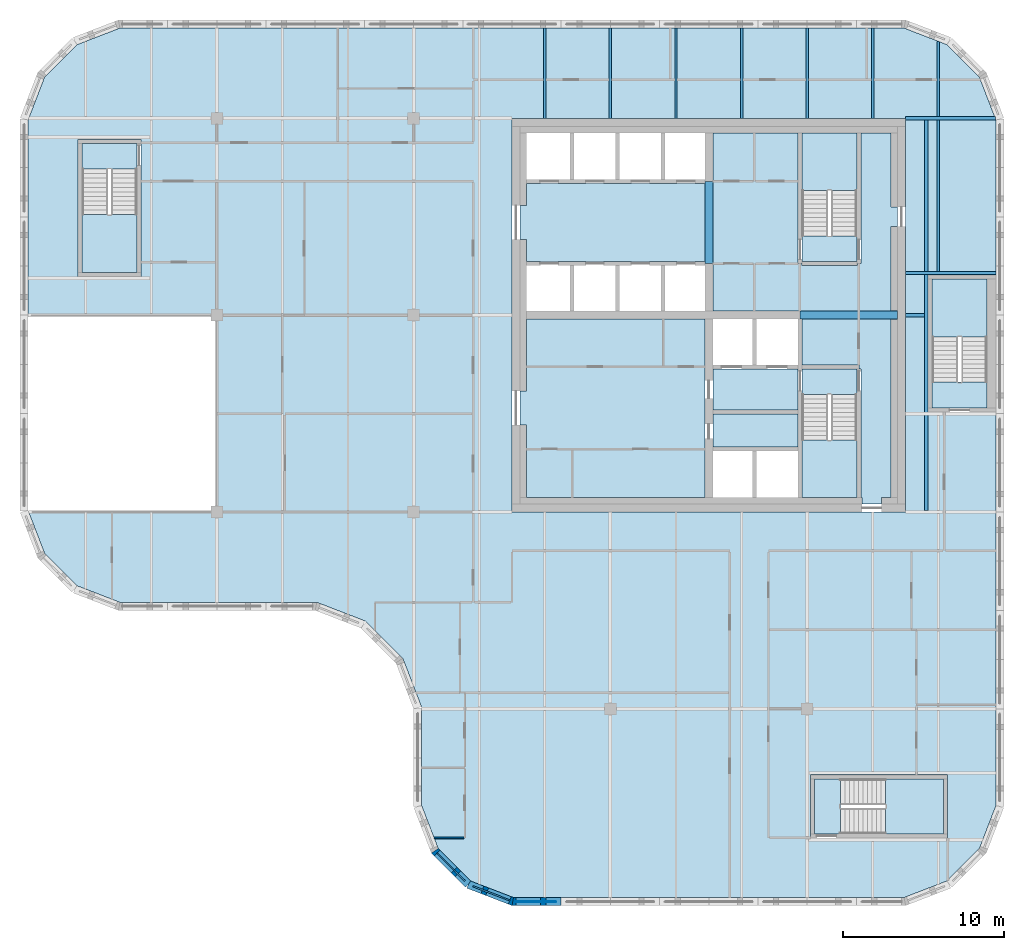
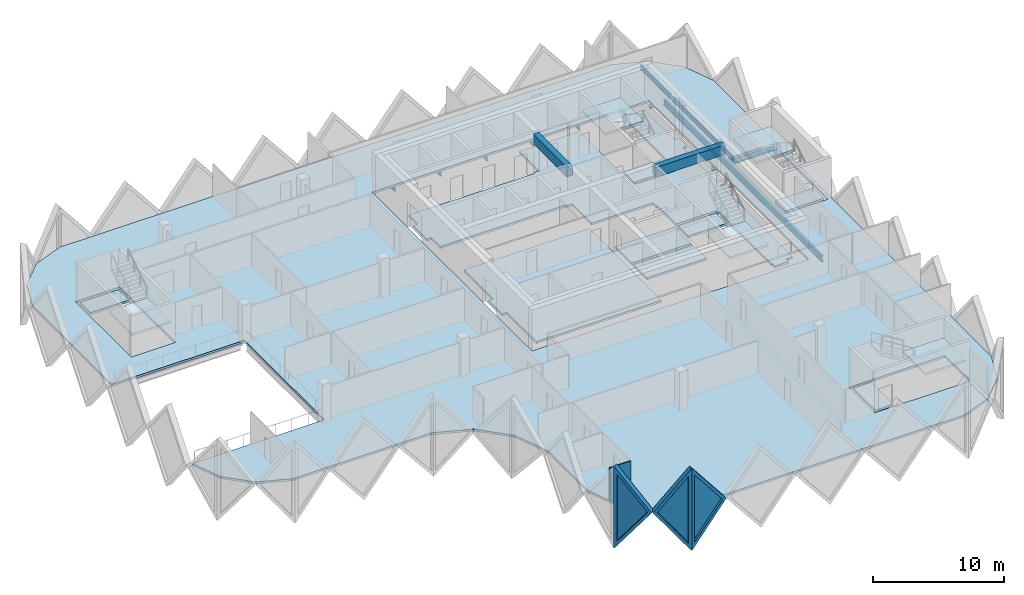
# One storey, part 2 of 12: 15 slabs, 14 beams, 4 walls, 3 plates, 3 openings, 5 elements without a shape of their own.
"""IFC4 building model written with IfcOpenShell, lengths in metres."""

from ifc_helpers import new_model, si_unit, direction, frame, frame_2d, origin, origin_2d, place, context, subcontext, project, spatial, polyline, rectangle, i_section, outline, extrude, faceted_brep, source, transform, mapped, material, layer, layer_set, material_profile, profile_set, type_object, element, fill, aggregate, save


model = new_model("IFC4")

# Units and contexts
model_context = context("Model", 3, precision=1e-05, world=origin(), true_north=direction((0.0, 1.0)))
body_context = subcontext(model_context, "Body", "Model", "MODEL_VIEW")
ifc_project = project(units=[si_unit("LENGTHUNIT", "METRE"), si_unit("AREAUNIT", "SQUARE_METRE"), si_unit("VOLUMEUNIT", "CUBIC_METRE"), si_unit("PLANEANGLEUNIT", "RADIAN"), si_unit("MASSUNIT", "GRAM", prefix="KILO")], contexts=[model_context])

# Site, building, storey
site_placement = place(None, origin())
site = spatial("IfcSite", under=ifc_project, at=site_placement, CompositionType="ELEMENT")
building_placement = place(site_placement, origin())
building = spatial("IfcBuilding", under=site, at=building_placement, Name="Tessera Gate Towers", CompositionType="ELEMENT")
storey_placement = place(building_placement, frame((0.0, 0.0, 213.10009765625)))
storey = spatial("IfcBuildingStorey", under=building, at=storey_placement, Name="L53", CompositionType="ELEMENT", Elevation=213.10009765625)

# Beams
ifc_material_1 = material(Name="Concrete C50/60", Category="concrete")
ifc_material_profile_1 = material_profile(ifc_material_1, rectangle(XDim=0.5, YDim=0.89990234375, at=origin_2d()), Name="RC 500x900")
ifc_profile_set_1 = profile_set([ifc_material_profile_1], Name="Concrete C50/60")
beam_type_1 = type_object("IfcBeamType", Name="COUPLING BEAM 500x900 C50/60", PredefinedType="BEAM", material=ifc_profile_set_1)
beam_1_placement = place(storey_placement, frame((48.35009765625, 36.60009765625, 3.14990234375), z_axis=(1.0, 0.0, 0.0), x_axis=(0.0, 1.0, 0.0)))
element("IfcBeam", 1, at=beam_1_placement, inside=storey, type_object=beam_type_1, Name="L53 coupling beam 1", PredefinedType="BEAM", context=body_context, shape_type="SweptSolid", body=[
    extrude(rectangle(XDim=0.5, YDim=0.89990234375, at=origin_2d()), origin(), (0.0, 0.0, 1.0), 6.0498046875),
])
beam_2_placement = place(storey_placement, frame((42.699951171875, 39.800048828125, 3.14990234375), z_axis=(0.0, 1.0, 0.0), x_axis=(-1.0, 0.0, 0.0)))
element("IfcBeam", 2, at=beam_2_placement, inside=storey, type_object=beam_type_1, Name="L53 coupling beam 2", PredefinedType="BEAM", context=body_context, shape_type="SweptSolid", body=[
    extrude(rectangle(XDim=0.5, YDim=0.89990234375, at=origin_2d()), origin(), (0.0, 0.0, 1.0), 5.099853515625),
])
ifc_material_2 = material(Name="Steel 350W", Category="steel")
ifc_material_profile_2 = material_profile(ifc_material_2, i_section(OverallWidth=0.208984375, OverallDepth=0.532958984375, WebThickness=0.01025390625, FlangeThickness=0.015625, at=origin_2d()), Name="W530x92")
ifc_profile_set_2 = profile_set([ifc_material_profile_2], Name="Steel 350W")
beam_type_2 = type_object("IfcBeamType", Name="FLOOR GIRDER W530x92", PredefinedType="BEAM", material=ifc_profile_set_2)
beam_3_placement = place(storey_placement, frame((54.89892578125, 36.60009765625, -0.466552734375), z_axis=(1.0, 0.0, 0.0), x_axis=(0.0, 1.0, 0.0)))
element("IfcBeam", 3, at=beam_3_placement, inside=storey, type_object=beam_type_2, Name="T1-GD-L53-5488", PredefinedType="BEAM", context=body_context, shape_type="SweptSolid", body=[
    extrude(i_section(OverallWidth=0.208984375, OverallDepth=0.532958984375, WebThickness=0.01025390625, FlangeThickness=0.015625, at=origin_2d()), origin(), (0.0, 0.0, 1.0), 1.176513671875),
])
beam_4_placement = place(storey_placement, frame((54.90087890625, 48.800048828125, -0.466552734375), z_axis=(1.0, 0.0, 0.0), x_axis=(0.0, 1.0, 0.0)))
element("IfcBeam", 4, at=beam_4_placement, inside=storey, type_object=beam_type_2, Name="T1-GD-L53-5492", PredefinedType="BEAM", context=body_context, shape_type="SweptSolid", body=[
    extrude(i_section(OverallWidth=0.208984375, OverallDepth=0.532958984375, WebThickness=0.01025390625, FlangeThickness=0.015625, at=origin_2d()), origin(), (0.0, 0.0, 1.0), 5.564208984375),
])
beam_5_placement = place(storey_placement, frame((54.89892578125, 39.219970703125, -0.466552734375), z_axis=(1.0, 0.0, 0.0), x_axis=(0.0, 1.0, 0.0)))
element("IfcBeam", 5, at=beam_5_placement, inside=storey, type_object=beam_type_2, Name="T1-GD-L53-5510", PredefinedType="BEAM", context=body_context, shape_type="SweptSolid", body=[
    extrude(i_section(OverallWidth=0.208984375, OverallDepth=0.532958984375, WebThickness=0.01025390625, FlangeThickness=0.015625, at=origin_2d()), origin(), (0.0, 0.0, 1.0), 5.60205078125),
])
beam_6_placement = place(storey_placement, frame((56.179931640625, 24.50439453125, -0.466552734375), z_axis=(0.0, 1.0, 0.0), x_axis=(-1.0, 0.0, 0.0)))
element("IfcBeam", 6, at=beam_6_placement, inside=storey, type_object=beam_type_2, Name="T1-GD-L53-5511", PredefinedType="BEAM", context=body_context, shape_type="SweptSolid", body=[
    extrude(i_section(OverallWidth=0.208984375, OverallDepth=0.532958984375, WebThickness=0.01025390625, FlangeThickness=0.015625, at=origin_2d()), origin(), (0.0, 0.0, 1.0), 24.191162109375),
])
ifc_material_3 = material(Name="Steel 350W", Category="steel")
ifc_material_profile_3 = material_profile(ifc_material_3, i_section(OverallWidth=0.153076171875, OverallDepth=0.455078125, WebThickness=0.008056640625, FlangeThickness=0.01318359375, at=origin_2d()), Name="W460x60")
ifc_profile_set_3 = profile_set([ifc_material_profile_3], Name="Steel 350W")
beam_type_3 = type_object("IfcBeamType", Name="FLOOR SECONDARY W460x60", PredefinedType="BEAM", material=ifc_profile_set_3)
for number, where, z_axis, x_axis, name in (
    (7, (32.533203125, 48.800048828125, -0.427490234375), (0.0, 1.0, 0.0), (-1.0, 0.0, 0.0), "T1-BM-L53-5533"),
    (8, (36.60009765625, 48.800048828125, -0.427490234375), (0.0, 1.0, 0.0), (-1.0, 0.0, 0.0), "T1-BM-L53-5534"),
    (9, (40.666748046875, 48.800048828125, -0.427490234375), (0.0, 1.0, 0.0), (-1.0, 0.0, 0.0), "T1-BM-L53-5537"),
    (10, (44.7333984375, 48.800048828125, -0.427490234375), (0.0, 1.0, 0.0), (-1.0, 0.0, 0.0), "T1-BM-L53-5540"),
    (11, (48.800048828125, 48.800048828125, -0.427490234375), (0.0, 1.0, 0.0), (-1.0, 0.0, 0.0), "T1-BM-L53-5541"),
    (12, (52.86669921875, 48.800048828125, -0.427490234375), (0.0, 1.0, 0.0), (-1.0, 0.0, 0.0), "T1-BM-L53-5545"),
):
    element("IfcBeam", number, at=place(storey_placement, frame(where, z_axis=z_axis, x_axis=x_axis)), inside=storey, type_object=beam_type_3, Name=name, PredefinedType="BEAM", context=body_context, shape_type="SweptSolid", body=[
        extrude(i_section(OverallWidth=0.153076171875, OverallDepth=0.455078125, WebThickness=0.008056640625, FlangeThickness=0.01318359375, at=origin_2d()), origin(), (0.0, 0.0, 1.0), 5.599853515625),
    ])
beam_7_placement = place(storey_placement, frame((56.933349609375, 39.324462890625, -0.427490234375), z_axis=(0.0, 1.0, 0.0), x_axis=(-1.0, 0.0, 0.0)))
element("IfcBeam", 13, at=beam_7_placement, inside=storey, type_object=beam_type_3, Name="T1-BM-L53-5550", PredefinedType="BEAM", context=body_context, shape_type="SweptSolid", body=[
    extrude(i_section(OverallWidth=0.153076171875, OverallDepth=0.455078125, WebThickness=0.008056640625, FlangeThickness=0.01318359375, at=origin_2d()), origin(), (0.0, 0.0, 1.0), 9.37109375),
])
beam_8_placement = place(storey_placement, frame((56.933349609375, 48.904541015625, -0.427490234375), z_axis=(0.0, 1.0, 0.0), x_axis=(-1.0, 0.0, 0.0)))
element("IfcBeam", 14, at=beam_8_placement, inside=storey, type_object=beam_type_3, Name="T1-BM-L53-5551", PredefinedType="BEAM", context=body_context, shape_type="SweptSolid", body=[
    extrude(i_section(OverallWidth=0.153076171875, OverallDepth=0.455078125, WebThickness=0.008056640625, FlangeThickness=0.01318359375, at=origin_2d()), origin(), (0.0, 0.0, 1.0), 4.675048828125),
])

# Slabs
ifc_material_4 = material(Name="Concrete C35/45", Category="concrete")
ifc_layer_1 = layer(ifc_material_4, 0.199951171875)
ifc_layer_set_1 = layer_set([ifc_layer_1], Name="COMPOSITE FLOOR 200")
slab_type_1 = type_object("IfcSlabType", Name="COMPOSITE FLOOR 200", PredefinedType="FLOOR", material=ifc_layer_set_1)
slab_1_placement = place(storey_placement, frame((0.0, 0.0, -0.2001953125)))
element("IfcSlab", 15, at=slab_1_placement, inside=storey, type_object=slab_type_1, Name="T1-L53", PredefinedType="FLOOR", context=body_context, shape_type="SweptSolid", body=[
    extrude(outline(polyline([(0.5, 36.60009765625), (12.199951171875, 36.60009765625), (12.199951171875, 24.39990234375), (0.535888671875, 24.39990234375), (1.526123046875, 21.8330078125), (3.533203125, 19.826171875), (6.193115234375, 18.800048828125), (18.39306640625, 18.800048828125), (21.42431640625, 17.630615234375), (23.730712890625, 15.32421875), (24.89990234375, 12.293212890625), (24.89990234375, 6.193115234375), (25.926025390625, 3.533203125), (27.93310546875, 1.526123046875), (30.593017578125, 0.5), (54.806884765625, 0.5), (57.466796875, 1.526123046875), (59.473876953125, 3.533203125), (60.5, 6.193115234375), (60.5, 48.706787109375), (59.473876953125, 51.366943359375), (57.466796875, 53.373779296875), (54.806884765625, 54.39990234375), (6.193115234375, 54.39990234375), (3.533203125, 53.373779296875), (1.526123046875, 51.366943359375), (0.5, 48.706787109375), (0.5, 36.60009765625)]), holes=[polyline([(3.60009765625, 39.0), (3.60009765625, 47.5), (7.5, 47.5), (7.5, 39.0), (3.60009765625, 39.0)]), polyline([(30.5, 24.39990234375), (30.5, 48.800048828125), (54.89990234375, 48.800048828125), (54.89990234375, 24.39990234375), (30.5, 24.39990234375)]), polyline([(49.0, 4.199951171875), (49.0, 8.10009765625), (57.5, 8.10009765625), (57.5, 4.199951171875), (49.0, 4.199951171875)]), polyline([(56.300048828125, 30.60009765625), (56.300048828125, 39.10009765625), (60.199951171875, 39.10009765625), (60.199951171875, 30.60009765625), (56.300048828125, 30.60009765625)])]), origin(), (0.0, 0.0, 1.0), 0.2001953125),
])
ifc_material_5 = material(Name="Concrete C35/45", Category="concrete")
ifc_layer_2 = layer(ifc_material_5, 0.199951171875)
ifc_layer_set_2 = layer_set([ifc_layer_2], Name="CORE FLOOR SLAB 200")
slab_type_2 = type_object("IfcSlabType", Name="CORE FLOOR SLAB 200", PredefinedType="FLOOR", material=ifc_layer_set_2)
slab_2_placement = place(storey_placement, frame((0.0, 0.0, -0.2001953125)))
element("IfcSlab", 16, at=slab_2_placement, inside=storey, type_object=slab_type_2, Name="L53 core floor slab", PredefinedType="FLOOR", context=body_context, shape_type="SweptSolid", body=[
    extrude(outline(polyline([(42.449951171875, 44.89990234375), (42.449951171875, 44.77490234375), (31.39990234375, 44.77490234375), (31.39990234375, 43.39990234375), (31.0, 43.39990234375), (31.0, 41.300048828125), (31.39990234375, 41.300048828125), (31.39990234375, 39.925048828125), (42.449951171875, 39.925048828125), (42.449951171875, 39.800048828125), (42.949951171875, 39.800048828125), (42.949951171875, 36.85009765625), (48.35009765625, 36.85009765625), (48.35009765625, 36.35009765625), (48.47509765625, 36.35009765625), (48.47509765625, 33.52490234375), (52.0, 33.52490234375), (52.0, 33.27490234375), (52.125, 33.27490234375), (52.125, 25.300048828125), (52.199951171875, 25.300048828125), (52.199951171875, 24.89990234375), (53.39990234375, 24.89990234375), (53.39990234375, 25.300048828125), (54.0, 25.300048828125), (54.0, 36.320068359375), (54.39990234375, 36.320068359375), (54.39990234375, 36.8798828125), (54.0, 36.8798828125), (54.0, 42.10009765625), (54.39990234375, 42.10009765625), (54.39990234375, 43.300048828125), (54.0, 43.300048828125), (54.0, 47.89990234375), (52.125, 47.89990234375), (52.125, 39.800048828125), (51.875, 39.800048828125), (51.875, 39.675048828125), (48.47509765625, 39.675048828125), (48.47509765625, 39.800048828125), (48.22509765625, 39.800048828125), (48.22509765625, 47.89990234375), (42.949951171875, 47.89990234375), (42.949951171875, 44.89990234375), (42.449951171875, 44.89990234375)])), origin(), (0.0, 0.0, 1.0), 0.2001953125),
])
slab_3_placement = place(storey_placement, frame((0.0, 0.0, -0.2001953125)))
element("IfcSlab", 17, at=slab_3_placement, inside=storey, type_object=slab_type_2, Name="L53 core floor slab", PredefinedType="FLOOR", context=body_context, shape_type="SweptSolid", body=[
    extrude(outline(polyline([(31.39990234375, 36.35009765625), (31.39990234375, 31.89990234375), (31.0, 31.89990234375), (31.0, 29.800048828125), (31.39990234375, 29.800048828125), (31.39990234375, 25.300048828125), (42.449951171875, 25.300048828125), (42.449951171875, 36.35009765625), (31.39990234375, 36.35009765625)])), origin(), (0.0, 0.0, 1.0), 0.2001953125),
])
slab_4_placement = place(storey_placement, frame((0.0, 0.0, -0.2001953125)))
element("IfcSlab", 18, at=slab_4_placement, inside=storey, type_object=slab_type_2, Name="L53 core floor slab", PredefinedType="FLOOR", context=body_context, shape_type="SweptSolid", body=[
    extrude(outline(polyline([(42.949951171875, 33.27490234375), (42.949951171875, 30.72509765625), (48.22509765625, 30.72509765625), (48.22509765625, 33.27490234375), (42.949951171875, 33.27490234375)])), origin(), (0.0, 0.0, 1.0), 0.2001953125),
])
slab_5_placement = place(storey_placement, frame((0.0, 0.0, -0.2001953125)))
element("IfcSlab", 19, at=slab_5_placement, inside=storey, type_object=slab_type_2, Name="L53 core floor slab", PredefinedType="FLOOR", context=body_context, shape_type="SweptSolid", body=[
    extrude(outline(polyline([(48.22509765625, 30.47509765625), (42.949951171875, 30.47509765625), (42.949951171875, 28.425048828125), (48.22509765625, 28.425048828125), (48.22509765625, 30.47509765625)])), origin(), (0.0, 0.0, 1.0), 0.2001953125),
])
slab_6_placement = place(storey_placement, frame((0.0, 0.0, -0.2001953125)))
element("IfcSlab", 20, at=slab_6_placement, inside=storey, type_object=slab_type_2, Name="L53 core floor slab", PredefinedType="FLOOR", context=body_context, shape_type="SweptSolid", body=[
    extrude(outline(polyline([(51.875, 31.675048828125), (51.875, 33.27490234375), (48.47509765625, 33.27490234375), (48.47509765625, 31.675048828125), (51.875, 31.675048828125)])), origin(), (0.0, 0.0, 1.0), 0.2001953125),
])
slab_7_placement = place(storey_placement, frame((0.0, 0.0, -0.2001953125)))
element("IfcSlab", 21, at=slab_7_placement, inside=storey, type_object=slab_type_2, Name="L53 core floor slab", PredefinedType="FLOOR", context=body_context, shape_type="SweptSolid", body=[
    extrude(outline(polyline([(48.47509765625, 41.52490234375), (48.47509765625, 39.925048828125), (51.875, 39.925048828125), (51.875, 41.52490234375), (48.47509765625, 41.52490234375)])), origin(), (0.0, 0.0, 1.0), 0.2001953125),
])
slab_8_placement = place(storey_placement, frame((0.0, 0.0, -0.2001953125)))
element("IfcSlab", 22, at=slab_8_placement, inside=storey, type_object=slab_type_2, Name="L53 ST3 floor landing", PredefinedType="FLOOR", context=body_context, shape_type="SweptSolid", body=[
    extrude(outline(polyline([(3.85009765625, 47.25), (3.85009765625, 45.64990234375), (7.25, 45.64990234375), (7.25, 47.25), (3.85009765625, 47.25)])), origin(), (0.0, 0.0, 1.0), 0.2001953125),
])
slab_9_placement = place(storey_placement, frame((0.0, 0.0, -0.2001953125)))
element("IfcSlab", 23, at=slab_9_placement, inside=storey, type_object=slab_type_2, Name="L53 ST4 floor landing", PredefinedType="FLOOR", context=body_context, shape_type="SweptSolid", body=[
    extrude(outline(polyline([(49.25, 4.449951171875), (50.85009765625, 4.449951171875), (50.85009765625, 7.85009765625), (49.25, 7.85009765625), (49.25, 4.449951171875)])), origin(), (0.0, 0.0, 1.0), 0.2001953125),
])
slab_10_placement = place(storey_placement, frame((0.0, 0.0, -0.2001953125)))
element("IfcSlab", 24, at=slab_10_placement, inside=storey, type_object=slab_type_2, Name="L53 ST5 floor landing", PredefinedType="FLOOR", context=body_context, shape_type="SweptSolid", body=[
    extrude(outline(polyline([(59.949951171875, 30.85009765625), (59.949951171875, 32.449951171875), (56.550048828125, 32.449951171875), (56.550048828125, 30.85009765625), (59.949951171875, 30.85009765625)])), origin(), (0.0, 0.0, 1.0), 0.2001953125),
])

# Stair, slab
ifc_material_6 = material(Name="Concrete C40/50", Category="concrete")
stair_type_1 = type_object("IfcStairType", Name="EXIT STAIR ST1 1600", PredefinedType="HALF_TURN_STAIR", material=ifc_material_6)
stair_1_placement = place(storey_placement, origin())
stair_1 = element("IfcStair", 25, at=stair_1_placement, inside=storey, type_object=stair_type_1, Name="L53 Protected Exit Stair ST1", PredefinedType="HALF_TURN_STAIR")
ifc_material_7 = material(Name="Concrete C40/50", Category="concrete")
ifc_layer_3 = layer(ifc_material_7, 0.199951171875)
ifc_layer_set_3 = layer_set([ifc_layer_3], Name="EXIT STAIR LANDING 200")
slab_type_3 = type_object("IfcSlabType", Name="EXIT STAIR LANDING 200", PredefinedType="LANDING", material=ifc_layer_set_3)
slab_11_placement = place(storey_placement, frame((0.0, 0.0, 1.699951171875)))
slab_11 = element("IfcSlab", 26, at=slab_11_placement, type_object=slab_type_3, Name="ST1 landing 1", PredefinedType="LANDING", context=body_context, shape_type="SweptSolid", body=[
    extrude(outline(polyline([(48.47509765625, 28.875), (48.47509765625, 25.300048828125), (51.875, 25.300048828125), (51.875, 28.875), (48.47509765625, 28.875)])), origin(), (0.0, 0.0, 1.0), 0.199951171875),
])
aggregate(stair_1, [slab_11])

ifc_material_8 = material(Name="Concrete C40/50", Category="concrete")
stair_type_2 = type_object("IfcStairType", Name="EXIT STAIR ST2 1600", PredefinedType="HALF_TURN_STAIR", material=ifc_material_8)
stair_2_placement = place(storey_placement, origin())
stair_2 = element("IfcStair", 27, at=stair_2_placement, inside=storey, type_object=stair_type_2, Name="L53 Protected Exit Stair ST2", PredefinedType="HALF_TURN_STAIR")
slab_12_placement = place(storey_placement, frame((0.0, 0.0, 1.699951171875)))
slab_12 = element("IfcSlab", 28, at=slab_12_placement, type_object=slab_type_3, Name="ST2 landing 1", PredefinedType="LANDING", context=body_context, shape_type="SweptSolid", body=[
    extrude(outline(polyline([(51.875, 44.324951171875), (51.875, 47.89990234375), (48.47509765625, 47.89990234375), (48.47509765625, 44.324951171875), (51.875, 44.324951171875)])), origin(), (0.0, 0.0, 1.0), 0.199951171875),
])
aggregate(stair_2, [slab_12])

ifc_material_9 = material(Name="Concrete C40/50", Category="concrete")
stair_type_3 = type_object("IfcStairType", Name="EXIT STAIR ST3 1600", PredefinedType="HALF_TURN_STAIR", material=ifc_material_9)
stair_3_placement = place(storey_placement, origin())
stair_3 = element("IfcStair", 29, at=stair_3_placement, inside=storey, type_object=stair_type_3, Name="L53 West Exit Stair ST3", PredefinedType="HALF_TURN_STAIR")
slab_13_placement = place(storey_placement, frame((0.0, 0.0, 1.699951171875)))
slab_13 = element("IfcSlab", 30, at=slab_13_placement, type_object=slab_type_3, Name="ST3 landing 1", PredefinedType="LANDING", context=body_context, shape_type="SweptSolid", body=[
    extrude(outline(polyline([(3.85009765625, 42.85009765625), (3.85009765625, 39.25), (7.25, 39.25), (7.25, 42.85009765625), (3.85009765625, 42.85009765625)])), origin(), (0.0, 0.0, 1.0), 0.199951171875),
])
aggregate(stair_3, [slab_13])

ifc_material_10 = material(Name="Concrete C40/50", Category="concrete")
stair_type_4 = type_object("IfcStairType", Name="EXIT STAIR ST4 1600", PredefinedType="HALF_TURN_STAIR", material=ifc_material_10)
stair_4_placement = place(storey_placement, origin())
stair_4 = element("IfcStair", 31, at=stair_4_placement, inside=storey, type_object=stair_type_4, Name="L53 South Exit Stair ST4", PredefinedType="HALF_TURN_STAIR")
slab_14_placement = place(storey_placement, frame((0.0, 0.0, 1.699951171875)))
slab_14 = element("IfcSlab", 32, at=slab_14_placement, type_object=slab_type_3, Name="ST4 landing 1", PredefinedType="LANDING", context=body_context, shape_type="SweptSolid", body=[
    extrude(outline(polyline([(53.64990234375, 4.449951171875), (57.25, 4.449951171875), (57.25, 7.85009765625), (53.64990234375, 7.85009765625), (53.64990234375, 4.449951171875)])), origin(), (0.0, 0.0, 1.0), 0.199951171875),
])
aggregate(stair_4, [slab_14])

ifc_material_11 = material(Name="Concrete C40/50", Category="concrete")
stair_type_5 = type_object("IfcStairType", Name="EXIT STAIR ST5 1600", PredefinedType="HALF_TURN_STAIR", material=ifc_material_11)
stair_5_placement = place(storey_placement, origin())
stair_5 = element("IfcStair", 33, at=stair_5_placement, inside=storey, type_object=stair_type_5, Name="L53 East Exit Stair ST5", PredefinedType="HALF_TURN_STAIR")
slab_15_placement = place(storey_placement, frame((0.0, 0.0, 1.699951171875)))
slab_15 = element("IfcSlab", 34, at=slab_15_placement, type_object=slab_type_3, Name="ST5 landing 1", PredefinedType="LANDING", context=body_context, shape_type="SweptSolid", body=[
    extrude(outline(polyline([(59.949951171875, 35.25), (59.949951171875, 38.85009765625), (56.550048828125, 38.85009765625), (56.550048828125, 35.25), (59.949951171875, 35.25)])), origin(), (0.0, 0.0, 1.0), 0.199951171875),
])
aggregate(stair_5, [slab_15])

# Wall
ifc_material_12 = material(Name="Glass", Category="glass")
ifc_layer_4 = layer(ifc_material_12, 0.10009765625)
ifc_layer_set_4 = layer_set([ifc_layer_4], Name="GLAZED PARTITION 100")
wall_type_1 = type_object("IfcWallType", Name="GLAZED PARTITION 100", PredefinedType="PARTITIONING", material=ifc_layer_set_4)
wall_1_placement = place(storey_placement, frame((25.668701171875, 4.199951171875, 0.0), z_axis=(0.0, 0.0, 1.0), x_axis=(1.0, 0.0, 0.0)))
element("IfcWall", 35, at=wall_1_placement, inside=storey, type_object=wall_type_1, Name="T1-L53-PW-003", PredefinedType="PARTITIONING", context=body_context, shape_type="SweptSolid", body=[
    extrude(rectangle(XDim=1.855224609375, YDim=0.10009765625, at=frame_2d((0.927734375, 0.0))), origin(), (0.0, 0.0, 1.0), 3.06689453125),
])

# Wall, opening, plate
ifc_material_13 = material(Name="Precast concrete C60/75 white", Category="concrete")
ifc_layer_5 = layer(ifc_material_13, 0.5)
ifc_layer_set_5 = layer_set([ifc_layer_5], Name="TS3 corner tessera")
wall_type_2 = type_object("IfcWallType", Name="TS3 corner tessera", PredefinedType="SOLIDWALL", material=ifc_layer_set_5)
shared_shape_1 = source(origin(), body_context, "Body", "Brep", [
    faceted_brep([(0.046630859375, -0.25, 0.0), (3.050048828125, -0.25, 3.800048828125), (0.046630859375, -0.25, 7.599853515625), (0.0, -0.25, 7.539794921875), (0.0, -0.25, 0.06005859375), (0.09326171875, 0.25, 7.541015625), (3.050048828125, 0.25, 3.800048828125), (0.09326171875, 0.25, 0.058837890625), (0.046630859375, 0.0, 0.0), (0.046630859375, 0.0, 7.599853515625)], [[[0, 1, 2, 3, 4]], [[5, 6, 7]], [[7, 6, 1, 0, 8]], [[6, 5, 9, 2, 1]], [[3, 2, 9]], [[8, 0, 4]], [[7, 8, 4, 3, 9, 5]]]),
])
wall_2_placement = place(storey_placement, frame((30.5, 0.25, -3.800048828125), z_axis=(0.0, 0.0, 1.0), x_axis=(1.0, 0.0, 0.0)))
wall_2 = element("IfcWall", 36, at=wall_2_placement, inside=storey, type_object=wall_type_2, Name="Precast corner tessera T1 TS3-1225", PredefinedType="SOLIDWALL", context=body_context, shape_type="MappedRepresentation", body=[
    mapped(shared_shape_1, transform((0.0, 0.0, 0.0), scale=1.0)),
])
shared_shape_2 = source(origin(), body_context, "Body", "SweptSolid", [
    extrude(outline(polyline([(0.24658203125, 0.65625), (2.7314453125, 3.800048828125), (0.24658203125, 6.94384765625), (0.24658203125, 0.65625)])), frame((0.0, 0.260009765625, 0.0), z_axis=(0.0, -1.0, 0.0), x_axis=(1.0, 0.0, 0.0)), (0.0, 0.0, 1.0), 0.52001953125),
])
opening_1_placement = place(wall_2_placement, origin())
opening_1 = element("IfcOpeningElement", 37, at=opening_1_placement, cuts=wall_2, Name="Opening T1-PL2-1880", PredefinedType="OPENING", context=body_context, shape_type="MappedRepresentation", body=[
    mapped(shared_shape_2, transform((0.0, 0.0, 0.0), scale=1.0)),
])
ifc_material_14 = material(Name="Low-e laminated glass", Category="glass")
ifc_layer_6 = layer(ifc_material_14, 0.06005859375)
ifc_layer_set_6 = layer_set([ifc_layer_6], Name="PL2 rhombic pane")
plate_type = type_object("IfcPlateType", Name="PL2 rhombic pane", PredefinedType="SHEET", material=ifc_layer_set_6)
shared_shape_3 = source(origin(), body_context, "Body", "SweptSolid", [
    extrude(outline(polyline([(0.24658203125, 0.65625), (2.7314453125, 3.800048828125), (0.24658203125, 6.94384765625), (0.24658203125, 0.65625)])), frame((0.0, 0.030029296875, 0.0), z_axis=(0.0, -1.0, 0.0), x_axis=(1.0, 0.0, 0.0)), (0.0, 0.0, 1.0), 0.06005859375),
])
plate_1_placement = place(opening_1_placement, origin())
plate_1 = element("IfcPlate", 38, at=plate_1_placement, inside=storey, type_object=plate_type, Name="Glass pane T1 PL2-1880", PredefinedType="SHEET", context=body_context, shape_type="MappedRepresentation", body=[
    mapped(shared_shape_3, transform((0.0, 0.0, 0.0), scale=1.0)),
])
fill(opening_1, plate_1)

shared_shape_4 = source(origin(), body_context, "Body", "Brep", [
    faceted_brep([(0.052978515625, -0.25, 0.0), (2.9970703125, -0.25, 3.800048828125), (0.052978515625, -0.25, 7.599853515625), (0.0, -0.25, 7.53173828125), (0.0, -0.25, 0.068115234375), (0.10595703125, 0.25, 7.531494140625), (2.944091796875, 0.25, 3.8681640625), (2.944091796875, 0.25, 3.73193359375), (0.10595703125, 0.25, 0.068359375), (2.9970703125, 0.000244140625, 3.800048828125), (0.052978515625, 0.0, 0.0), (0.052978515625, 0.0, 7.599853515625)], [[[0, 1, 2, 3, 4]], [[5, 6, 7, 8]], [[8, 7, 9, 1, 0, 10]], [[6, 5, 11, 2, 1, 9]], [[3, 2, 11]], [[10, 0, 4]], [[8, 10, 4, 3, 11, 5]], [[7, 6, 9]]]),
])
wall_3_placement = place(storey_placement, frame((25.674560546875, 3.43115234375, -3.800048828125), z_axis=(0.0, 0.0, 1.0), x_axis=(0.707106781187, -0.707106781187, 0.0)))
wall_3 = element("IfcWall", 39, at=wall_3_placement, inside=storey, type_object=wall_type_2, Name="Precast corner tessera T1 TS3-1248", PredefinedType="SOLIDWALL", context=body_context, shape_type="MappedRepresentation", body=[
    mapped(shared_shape_4, transform((0.0, 0.0, 0.0), scale=1.0)),
])
shared_shape_5 = source(origin(), body_context, "Body", "SweptSolid", [
    extrude(outline(polyline([(0.2529296875, 0.666259765625), (2.680908203125, 3.800048828125), (0.2529296875, 6.93359375), (0.2529296875, 0.666259765625)])), frame((0.0, 0.260009765625, 0.0), z_axis=(0.0, -1.0, 0.0), x_axis=(1.0, 0.0, 0.0)), (0.0, 0.0, 1.0), 0.52001953125),
])
opening_2_placement = place(wall_3_placement, origin())
opening_2 = element("IfcOpeningElement", 40, at=opening_2_placement, cuts=wall_3, Name="Opening T1-PL2-1926", PredefinedType="OPENING", context=body_context, shape_type="MappedRepresentation", body=[
    mapped(shared_shape_5, transform((0.0, 0.0, 0.0), scale=1.0)),
])
shared_shape_6 = source(origin(), body_context, "Body", "SweptSolid", [
    extrude(outline(polyline([(0.2529296875, 0.666259765625), (2.680908203125, 3.800048828125), (0.2529296875, 6.93359375), (0.2529296875, 0.666259765625)])), frame((0.0, 0.030029296875, 0.0), z_axis=(0.0, -1.0, 0.0), x_axis=(1.0, 0.0, 0.0)), (0.0, 0.0, 1.0), 0.06005859375),
])
plate_2_placement = place(opening_2_placement, origin())
plate_2 = element("IfcPlate", 41, at=plate_2_placement, inside=storey, type_object=plate_type, Name="Glass pane T1 PL2-1926", PredefinedType="SHEET", context=body_context, shape_type="MappedRepresentation", body=[
    mapped(shared_shape_6, transform((0.0, 0.0, 0.0), scale=1.0)),
])
fill(opening_2, plate_2)

shared_shape_7 = source(origin(), body_context, "Body", "Brep", [
    faceted_brep([(2.950439453125, -0.25, 0.0), (2.9970703125, -0.25, 0.05908203125), (2.9970703125, -0.25, 7.540771484375), (2.950439453125, -0.25, 7.599853515625), (0.0, -0.25, 3.800048828125), (0.052978515625, 0.25, 3.8681640625), (2.904052734375, 0.25, 7.5400390625), (2.904052734375, 0.25, 0.059814453125), (0.052978515625, 0.25, 3.73193359375), (2.950439453125, 0.00048828125, 0.0), (2.950439453125, 0.00048828125, 7.599853515625), (0.0, 0.0, 3.800048828125)], [[[0, 1, 2, 3, 4]], [[5, 6, 7, 8]], [[1, 0, 9]], [[10, 3, 2]], [[6, 5, 11, 4, 3, 10]], [[8, 7, 9, 0, 4, 11]], [[8, 11, 5]], [[1, 9, 7, 6, 10, 2]]]),
])
wall_4_placement = place(storey_placement, frame((27.793701171875, 1.31201171875, -3.800048828125), z_axis=(0.0, 0.0, 1.0), x_axis=(0.932973525033, -0.359944998003, 0.0)))
wall_4 = element("IfcWall", 42, at=wall_4_placement, inside=storey, type_object=wall_type_2, Name="Precast corner tessera T1 TS3-1226", PredefinedType="SOLIDWALL", context=body_context, shape_type="MappedRepresentation", body=[
    mapped(shared_shape_7, transform((0.0, 0.0, 0.0), scale=1.0)),
])
shared_shape_8 = source(origin(), body_context, "Body", "SweptSolid", [
    extrude(outline(polyline([(2.75048828125, 6.934814453125), (0.31640625, 3.800048828125), (2.75048828125, 0.665283203125), (2.75048828125, 6.934814453125)])), frame((0.0, 0.260009765625, 0.0), z_axis=(0.0, -1.0, 0.0), x_axis=(1.0, 0.0, 0.0)), (0.0, 0.0, 1.0), 0.52001953125),
])
opening_3_placement = place(wall_4_placement, origin())
opening_3 = element("IfcOpeningElement", 43, at=opening_3_placement, cuts=wall_4, Name="Opening T1-PL2-1881", PredefinedType="OPENING", context=body_context, shape_type="MappedRepresentation", body=[
    mapped(shared_shape_8, transform((0.0, 0.0, 0.0), scale=1.0)),
])
shared_shape_9 = source(origin(), body_context, "Body", "SweptSolid", [
    extrude(outline(polyline([(2.75048828125, 6.934814453125), (0.31640625, 3.800048828125), (2.75048828125, 0.665283203125), (2.75048828125, 6.934814453125)])), frame((0.0, 0.030029296875, 0.0), z_axis=(0.0, -1.0, 0.0), x_axis=(1.0, 0.0, 0.0)), (0.0, 0.0, 1.0), 0.06005859375),
])
plate_3_placement = place(opening_3_placement, origin())
plate_3 = element("IfcPlate", 44, at=plate_3_placement, inside=storey, type_object=plate_type, Name="Glass pane T1 PL2-1881", PredefinedType="SHEET", context=body_context, shape_type="MappedRepresentation", body=[
    mapped(shared_shape_9, transform((0.0, 0.0, 0.0), scale=1.0)),
])
fill(opening_3, plate_3)

save(model, "model.ifc")
